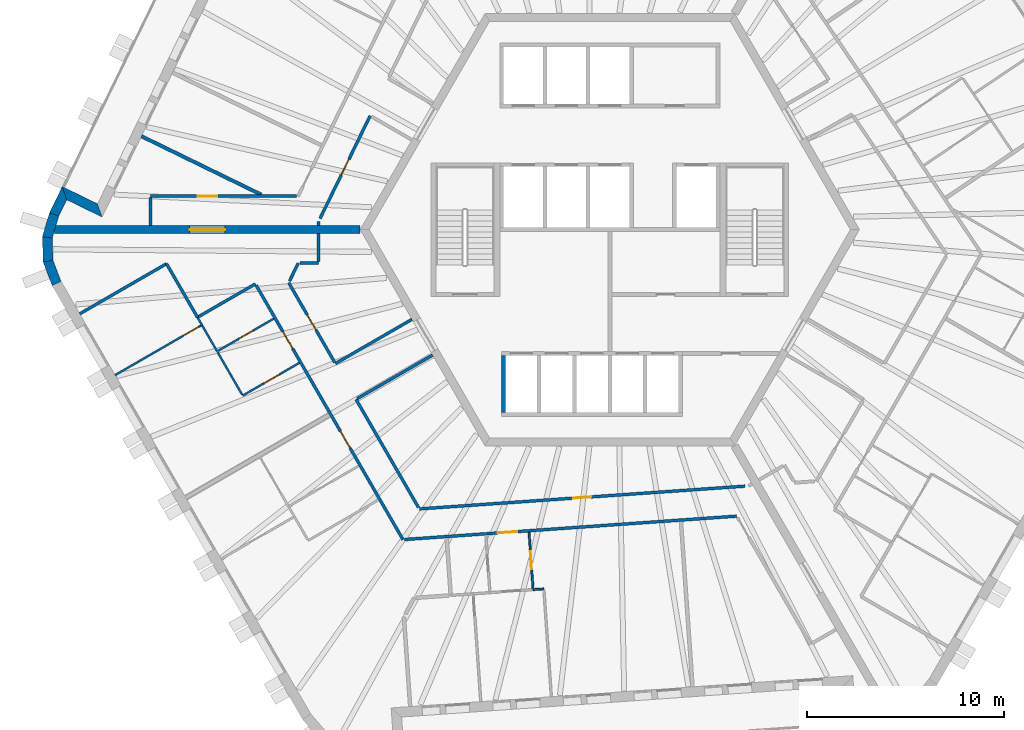
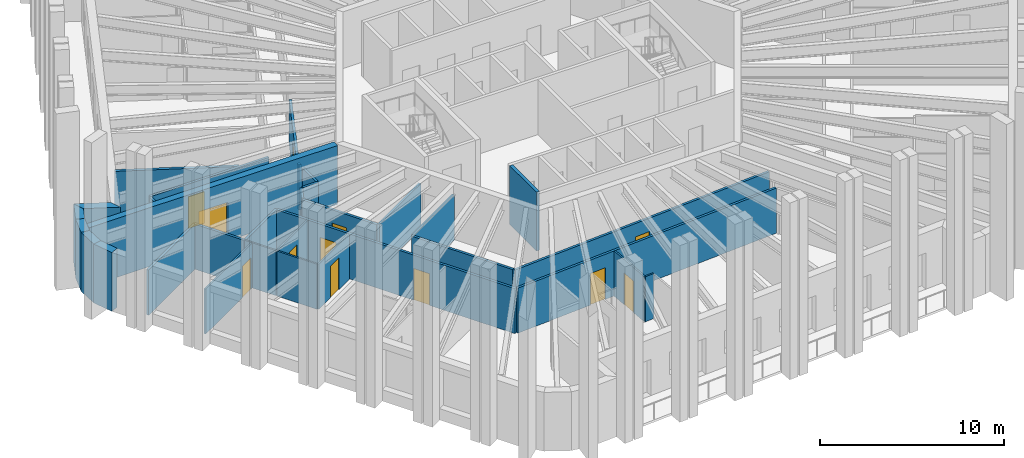
# One storey, part 4 of 12: 33 walls, 12 doors, 12 openings.
"""IFC4 building model written with IfcOpenShell, lengths in metres."""

from ifc_helpers import new_model, si_unit, direction, frame, frame_2d, origin, place, context, subcontext, project, spatial, polyline, rectangle, outline, extrude, material, layer, layer_set, type_object, element, fill, save


model = new_model("IFC4")

# Units and contexts
model_context = context("Model", 3, precision=1e-05, world=origin(), true_north=direction((0.0, 1.0)))
body_context = subcontext(model_context, "Body", "Model", "MODEL_VIEW")
ifc_project = project(units=[si_unit("LENGTHUNIT", "METRE"), si_unit("AREAUNIT", "SQUARE_METRE"), si_unit("VOLUMEUNIT", "CUBIC_METRE"), si_unit("PLANEANGLEUNIT", "RADIAN"), si_unit("MASSUNIT", "GRAM", prefix="KILO")], contexts=[model_context])

# Site, building, storey
site_placement = place(None, origin())
site = spatial("IfcSite", under=ifc_project, at=site_placement, CompositionType="ELEMENT")
building_placement = place(site_placement, origin())
building = spatial("IfcBuilding", under=site, at=building_placement, Name="Tarnside Tower", CompositionType="ELEMENT")
storey_placement = place(building_placement, frame((0.0, 0.0, 291.300048828125)))
storey = spatial("IfcBuildingStorey", under=building, at=storey_placement, Name="L70", CompositionType="ELEMENT", Elevation=291.300048828125)

# Wall
ifc_material_1 = material(Name="Gypsum board partition on steel studs", Category="steel")
ifc_layer_1 = layer(ifc_material_1, 0.10009765625)
ifc_layer_set_1 = layer_set([ifc_layer_1], Name="Bathroom wall 100")
wall_type_1 = type_object("IfcWallType", Name="Bathroom wall 100", PredefinedType="PARTITIONING", material=ifc_layer_set_1)
wall_1_placement = place(storey_placement, frame((-19.980224609375, -6.193115234375, 0.0), z_axis=(0.0, 0.0, 1.0), x_axis=(-0.500067724834, 0.865986299303, 0.0)))
element("IfcWall", 1, at=wall_1_placement, inside=storey, type_object=wall_type_1, Name="Bathroom wall 23114", PredefinedType="PARTITIONING", context=body_context, shape_type="SweptSolid", body=[
    extrude(rectangle(XDim=1.550537109375, YDim=0.10009765625, at=frame_2d((0.775390625, 0.0))), origin(), (0.0, 0.0, 1.0), 2.98779296875),
])

# Wall, opening, door
wall_2_placement = place(storey_placement, frame((-17.1005859375, -4.53076171875, 0.0), z_axis=(0.0, 0.0, 1.0), x_axis=(-0.866046559086, -0.499963356153, 0.0)))
wall_2 = element("IfcWall", 2, at=wall_2_placement, inside=storey, type_object=wall_type_1, Name="Bathroom wall 23118", PredefinedType="PARTITIONING", context=body_context, shape_type="SweptSolid", body=[
    extrude(rectangle(XDim=3.275146484375, YDim=0.10009765625, at=frame_2d((1.6376953125, 0.0))), origin(), (0.0, 0.0, 1.0), 2.98779296875),
])
opening_1_placement = place(wall_2_placement, frame((1.22509765625, 0.0, 0.0)))
opening_1 = element("IfcOpeningElement", 3, at=opening_1_placement, cuts=wall_2, Name="Opening D-B1", PredefinedType="OPENING", context=body_context, shape_type="SweptSolid", body=[
    extrude(rectangle(XDim=0.800048828125, YDim=2.10009765625, at=frame_2d((0.39990234375, 1.050048828125))), frame((0.0, 0.06005859375, 0.0), z_axis=(0.0, -1.0, 0.0), x_axis=(1.0, 0.0, 0.0)), (0.0, 0.0, 1.0), 0.1201171875),
])
ifc_material_2 = material(Name="Timber door leaf", Category="wood")
door_type_1 = type_object("IfcDoorType", Name="Bathroom door 800", OperationType="NOTDEFINED", PredefinedType="DOOR", material=ifc_material_2)
door_1_placement = place(opening_1_placement, origin())
door_1 = element("IfcDoor", 4, at=door_1_placement, inside=storey, type_object=door_type_1, Name="Bathroom door 23023", OperationType="SINGLE_SWING_RIGHT", OverallHeight=2.10009765625, OverallWidth=0.800048828125, PredefinedType="DOOR", context=body_context, shape_type="SweptSolid", body=[
    extrude(rectangle(XDim=0.800048828125, YDim=2.10009765625, at=frame_2d((0.39990234375, 1.050048828125))), frame((0.0, 0.02490234375, 0.0), z_axis=(0.0, -1.0, 0.0), x_axis=(1.0, 0.0, 0.0)), (0.0, 0.0, 1.0), 0.050048828125),
])
fill(opening_1, door_1)

# Wall
wall_3_placement = place(storey_placement, frame((-20.981201171875, -4.45947265625, 0.0), z_axis=(0.0, 0.0, 1.0), x_axis=(0.499846793097, -0.866113839764, 0.0)))
element("IfcWall", 5, at=wall_3_placement, inside=storey, type_object=wall_type_1, Name="Bathroom wall 23119", PredefinedType="PARTITIONING", context=body_context, shape_type="SweptSolid", body=[
    extrude(rectangle(XDim=0.453369140625, YDim=0.10009765625, at=frame_2d((0.2265625, 0.0))), origin(), (0.0, 0.0, 1.0), 2.98779296875),
])

# Wall, opening, door
ifc_material_3 = material(Name="Concrete C60/75", Category="concrete")
ifc_layer_2 = layer(ifc_material_3, 0.39990234375)
ifc_layer_set_2 = layer_set([ifc_layer_2], Name="Core wall Z3 400 C60/75")
wall_type_2 = type_object("IfcWallType", Name="Core wall Z3 400 C60/75", PredefinedType="SHEAR", material=ifc_layer_set_2)
wall_4_placement = place(storey_placement, frame((-12.70166015625, 0.0, -0.150146484375), z_axis=(0.0, 0.0, 1.0), x_axis=(-1.0, 0.0, 0.0)))
wall_4 = element("IfcWall", 6, at=wall_4_placement, inside=storey, type_object=wall_type_2, Name="L70 spine wall 2", PredefinedType="SHEAR", context=body_context, shape_type="SweptSolid", body=[
    extrude(rectangle(XDim=15.54443359375, YDim=0.39990234375, at=frame_2d((7.772216796875, 0.0))), origin(), (0.0, 0.0, 1.0), 3.900146484375),
])
opening_2_placement = place(wall_4_placement, frame((6.872314453125, 0.0, 0.14990234375)))
opening_2 = element("IfcOpeningElement", 7, at=opening_2_placement, cuts=wall_4, Name="Opening CD-SPN", PredefinedType="OPENING", context=body_context, shape_type="SweptSolid", body=[
    extrude(rectangle(XDim=1.800048828125, YDim=2.39990234375, at=frame_2d((0.89990234375, 1.199951171875))), frame((0.0, 0.2099609375, 0.0), z_axis=(0.0, -1.0, 0.0), x_axis=(1.0, 0.0, 0.0)), (0.0, 0.0, 1.0), 0.419921875),
])
ifc_material_4 = material(Name="Steel fire door", Category="steel")
door_type_2 = type_object("IfcDoorType", Name="Spine passage double door FD60 1800x2400", OperationType="NOTDEFINED", PredefinedType="DOOR", material=ifc_material_4)
door_2_placement = place(opening_2_placement, origin())
door_2 = element("IfcDoor", 8, at=door_2_placement, inside=storey, type_object=door_type_2, Name="L70 spine passage door 2", OperationType="DOUBLE_DOOR_SINGLE_SWING", OverallHeight=2.39990234375, OverallWidth=1.800048828125, PredefinedType="DOOR", context=body_context, shape_type="SweptSolid", body=[
    extrude(rectangle(XDim=1.800048828125, YDim=2.39990234375, at=frame_2d((0.89990234375, 1.199951171875))), frame((0.0, 0.02490234375, 0.0), z_axis=(0.0, -1.0, 0.0), x_axis=(1.0, 0.0, 0.0)), (0.0, 0.0, 1.0), 0.050048828125),
])
fill(opening_2, door_2)

ifc_layer_3 = layer(ifc_material_1, 0.14990234375)
ifc_layer_set_3 = layer_set([ifc_layer_3], Name="Corridor wall 150 EI 60")
wall_type_3 = type_object("IfcWallType", Name="Corridor wall 150 EI 60", PredefinedType="PARTITIONING", material=ifc_layer_set_3)
wall_5_placement = place(storey_placement, frame((-15.943359375, 1.699951171875, 0.0), z_axis=(0.0, 0.0, 1.0), x_axis=(-1.0, 0.0, 0.0)))
wall_5 = element("IfcWall", 9, at=wall_5_placement, inside=storey, type_object=wall_type_3, Name="Corridor wall 23016", PredefinedType="PARTITIONING", context=body_context, shape_type="SweptSolid", body=[
    extrude(rectangle(XDim=7.4306640625, YDim=0.14990234375, at=frame_2d((3.71533203125, 0.0))), origin(), (0.0, 0.0, 1.0), 2.98779296875),
])
opening_3_placement = place(wall_5_placement, frame((4.02978515625, 0.0, 0.0)))
opening_3 = element("IfcOpeningElement", 10, at=opening_3_placement, cuts=wall_5, Name="Opening D-E1", PredefinedType="OPENING", context=body_context, shape_type="SweptSolid", body=[
    extrude(rectangle(XDim=1.0, YDim=2.10009765625, at=frame_2d((0.5, 1.050048828125))), frame((0.0, 0.0849609375, 0.0), z_axis=(0.0, -1.0, 0.0), x_axis=(1.0, 0.0, 0.0)), (0.0, 0.0, 1.0), 0.169921875),
])
door_type_3 = type_object("IfcDoorType", Name="Unit entrance door 1000 FD30S", OperationType="NOTDEFINED", PredefinedType="DOOR", material=ifc_material_2)
door_3_placement = place(opening_3_placement, origin())
door_3 = element("IfcDoor", 11, at=door_3_placement, inside=storey, type_object=door_type_3, Name="Unit door 23021", OperationType="SINGLE_SWING_LEFT", OverallHeight=2.10009765625, OverallWidth=1.0, PredefinedType="DOOR", context=body_context, shape_type="SweptSolid", body=[
    extrude(rectangle(XDim=1.0, YDim=2.10009765625, at=frame_2d((0.5, 1.050048828125))), frame((0.0, 0.02490234375, 0.0), z_axis=(0.0, -1.0, 0.0), x_axis=(1.0, 0.0, 0.0)), (0.0, 0.0, 1.0), 0.050048828125),
])
fill(opening_3, door_3)

# Walls
wall_6_placement = place(storey_placement, frame((-23.3740234375, 1.625, 0.0), z_axis=(0.0, 0.0, 1.0), x_axis=(0.0, -1.0, 0.0)))
element("IfcWall", 12, at=wall_6_placement, inside=storey, type_object=wall_type_3, Name="Corridor wall 23018", PredefinedType="PARTITIONING", context=body_context, shape_type="SweptSolid", body=[
    extrude(rectangle(XDim=1.425048828125, YDim=0.14990234375, at=frame_2d((0.71240234375, 0.0))), origin(), (0.0, 0.0, 1.0), 2.98779296875),
])
wall_7_placement = place(storey_placement, frame((-14.820068359375, 0.199951171875, 0.0), z_axis=(0.0, 0.0, 1.0), x_axis=(0.0, 1.0, 0.0)))
element("IfcWall", 13, at=wall_7_placement, inside=storey, type_object=wall_type_3, Name="Corridor wall 23025", PredefinedType="PARTITIONING", context=body_context, shape_type="SweptSolid", body=[
    extrude(rectangle(XDim=0.210205078125, YDim=0.14990234375, at=frame_2d((0.10498046875, 0.0))), origin(), (0.0, 0.0, 1.0), 2.98779296875),
])

# Wall, opening, door
wall_8_placement = place(storey_placement, frame((-14.7451171875, 0.563720703125, 0.0), z_axis=(0.0, 0.0, 1.0), x_axis=(0.438348416625, 0.898805132185, 0.0)))
wall_8 = element("IfcWall", 14, at=wall_8_placement, inside=storey, type_object=wall_type_3, Name="Corridor wall 23026", PredefinedType="PARTITIONING", context=body_context, shape_type="SweptSolid", body=[
    extrude(rectangle(XDim=5.819580078125, YDim=0.14990234375, at=frame_2d((2.90966796875, 0.0))), origin(), (0.0, 0.0, 1.0), 2.98779296875),
])
opening_4_placement = place(wall_8_placement, frame((2.459716796875, 0.0, 0.0)))
opening_4 = element("IfcOpeningElement", 15, at=opening_4_placement, cuts=wall_8, Name="Opening D-S1", PredefinedType="OPENING", context=body_context, shape_type="SweptSolid", body=[
    extrude(rectangle(XDim=0.89990234375, YDim=2.10009765625, at=frame_2d((0.449951171875, 1.050048828125))), frame((0.0, 0.0849609375, 0.0), z_axis=(0.0, -1.0, 0.0), x_axis=(1.0, 0.0, 0.0)), (0.0, 0.0, 1.0), 0.169921875),
])
door_type_4 = type_object("IfcDoorType", Name="Service room door 900 FD30S", OperationType="NOTDEFINED", PredefinedType="DOOR", material=ifc_material_2)
door_4_placement = place(opening_4_placement, origin())
door_4 = element("IfcDoor", 16, at=door_4_placement, inside=storey, type_object=door_type_4, Name="Service door 23059", OperationType="SINGLE_SWING_RIGHT", OverallHeight=2.10009765625, OverallWidth=0.89990234375, PredefinedType="DOOR", context=body_context, shape_type="SweptSolid", body=[
    extrude(rectangle(XDim=0.89990234375, YDim=2.10009765625, at=frame_2d((0.449951171875, 1.050048828125))), frame((0.0, 0.02490234375, 0.0), z_axis=(0.0, -1.0, 0.0), x_axis=(1.0, 0.0, 0.0)), (0.0, 0.0, 1.0), 0.050048828125),
])
fill(opening_4, door_4)

# Wall, openings, doors
wall_9_placement = place(storey_placement, frame((-17.998291015625, -2.826171875, 0.0), z_axis=(0.0, 0.0, 1.0), x_axis=(0.500003306199, -0.866023494941, 0.0)))
wall_9 = element("IfcWall", 17, at=wall_9_placement, inside=storey, type_object=wall_type_3, Name="Corridor wall 23028", PredefinedType="PARTITIONING", context=body_context, shape_type="SweptSolid", body=[
    extrude(rectangle(XDim=14.94921875, YDim=0.14990234375, at=frame_2d((7.474609375, 0.0))), origin(), (0.0, 0.0, 1.0), 2.98779296875),
])
opening_5_placement = place(wall_9_placement, frame((2.72509765625, 0.0, 0.0)))
opening_5 = element("IfcOpeningElement", 18, at=opening_5_placement, cuts=wall_9, Name="Opening D-E1", PredefinedType="OPENING", context=body_context, shape_type="SweptSolid", body=[
    extrude(rectangle(XDim=1.0, YDim=2.10009765625, at=frame_2d((0.5, 1.050048828125))), frame((0.0, 0.0849609375, 0.0), z_axis=(0.0, -1.0, 0.0), x_axis=(1.0, 0.0, 0.0)), (0.0, 0.0, 1.0), 0.169921875),
])
opening_6_placement = place(wall_9_placement, frame((8.576416015625, 0.0, 0.0)))
opening_6 = element("IfcOpeningElement", 19, at=opening_6_placement, cuts=wall_9, Name="Opening D-E1", PredefinedType="OPENING", context=body_context, shape_type="SweptSolid", body=[
    extrude(rectangle(XDim=1.0, YDim=2.10009765625, at=frame_2d((0.5, 1.050048828125))), frame((0.0, 0.0849609375, 0.0), z_axis=(0.0, -1.0, 0.0), x_axis=(1.0, 0.0, 0.0)), (0.0, 0.0, 1.0), 0.169921875),
])
door_5_placement = place(opening_5_placement, origin())
door_5 = element("IfcDoor", 20, at=door_5_placement, inside=storey, type_object=door_type_3, Name="Unit door 23022", OperationType="SINGLE_SWING_RIGHT", OverallHeight=2.10009765625, OverallWidth=1.0, PredefinedType="DOOR", context=body_context, shape_type="SweptSolid", body=[
    extrude(rectangle(XDim=1.0, YDim=2.10009765625, at=frame_2d((0.5, 1.050048828125))), frame((0.0, 0.02490234375, 0.0), z_axis=(0.0, -1.0, 0.0), x_axis=(1.0, 0.0, 0.0)), (0.0, 0.0, 1.0), 0.050048828125),
])
fill(opening_5, door_5)
door_6_placement = place(opening_6_placement, origin())
door_6 = element("IfcDoor", 21, at=door_6_placement, inside=storey, type_object=door_type_3, Name="Unit door 23026", OperationType="SINGLE_SWING_RIGHT", OverallHeight=2.10009765625, OverallWidth=1.0, PredefinedType="DOOR", context=body_context, shape_type="SweptSolid", body=[
    extrude(rectangle(XDim=1.0, YDim=2.10009765625, at=frame_2d((0.5, 1.050048828125))), frame((0.0, 0.02490234375, 0.0), z_axis=(0.0, -1.0, 0.0), x_axis=(1.0, 0.0, 0.0)), (0.0, 0.0, 1.0), 0.050048828125),
])
fill(opening_6, door_6)

# Walls
wall_10_placement = place(storey_placement, frame((-20.980224609375, -4.461181640625, 0.0), z_axis=(0.0, 0.0, 1.0), x_axis=(0.866038511948, 0.499977295307, 0.0)))
element("IfcWall", 22, at=wall_10_placement, inside=storey, type_object=wall_type_3, Name="Corridor wall 23030", PredefinedType="PARTITIONING", context=body_context, shape_type="SweptSolid", body=[
    extrude(rectangle(XDim=3.400146484375, YDim=0.14990234375, at=frame_2d((1.7001953125, 0.0))), origin(), (0.0, 0.0, 1.0), 2.98779296875),
])
wall_11_placement = place(storey_placement, frame((-26.97119140625, -4.284423828125, 0.0), z_axis=(0.0, 0.0, 1.0), x_axis=(0.866024511559, 0.500001545377, 0.0)))
element("IfcWall", 23, at=wall_11_placement, inside=storey, type_object=wall_type_3, Name="Corridor wall 23032", PredefinedType="PARTITIONING", context=body_context, shape_type="SweptSolid", body=[
    extrude(rectangle(XDim=5.0986328125, YDim=0.14990234375, at=frame_2d((2.54931640625, 0.0))), origin(), (0.0, 0.0, 1.0), 2.98779296875),
])
wall_12_placement = place(storey_placement, frame((-22.553955078125, -1.735595703125, 0.0), z_axis=(0.0, 0.0, 1.0), x_axis=(0.50003099832, -0.866007506156, 0.0)))
element("IfcWall", 24, at=wall_12_placement, inside=storey, type_object=wall_type_3, Name="Corridor wall 23033", PredefinedType="PARTITIONING", context=body_context, shape_type="SweptSolid", body=[
    extrude(rectangle(XDim=3.150634765625, YDim=0.14990234375, at=frame_2d((1.5751953125, 0.0))), origin(), (0.0, 0.0, 1.0), 2.98779296875),
])

# Wall, opening, door
wall_13_placement = place(storey_placement, frame((-10.4404296875, -15.7666015625, 0.0), z_axis=(0.0, 0.0, 1.0), x_axis=(0.997534721961, 0.070174628483, 0.0)))
wall_13 = element("IfcWall", 25, at=wall_13_placement, inside=storey, type_object=wall_type_3, Name="Corridor wall 23035", PredefinedType="PARTITIONING", context=body_context, shape_type="SweptSolid", body=[
    extrude(rectangle(XDim=16.939453125, YDim=0.14990234375, at=frame_2d((8.4697265625, 0.0))), origin(), (0.0, 0.0, 1.0), 2.98779296875),
])
opening_7_placement = place(wall_13_placement, frame((4.74169921875, 0.0, 0.0)))
opening_7 = element("IfcOpeningElement", 26, at=opening_7_placement, cuts=wall_13, Name="Opening D-E1", PredefinedType="OPENING", context=body_context, shape_type="SweptSolid", body=[
    extrude(rectangle(XDim=1.0, YDim=2.10009765625, at=frame_2d((0.5, 1.050048828125))), frame((0.0, 0.0849609375, 0.0), z_axis=(0.0, -1.0, 0.0), x_axis=(1.0, 0.0, 0.0)), (0.0, 0.0, 1.0), 0.169921875),
])
door_7_placement = place(opening_7_placement, origin())
door_7 = element("IfcDoor", 27, at=door_7_placement, inside=storey, type_object=door_type_3, Name="Unit door 23031", OperationType="SINGLE_SWING_LEFT", OverallHeight=2.10009765625, OverallWidth=1.0, PredefinedType="DOOR", context=body_context, shape_type="SweptSolid", body=[
    extrude(rectangle(XDim=1.0, YDim=2.10009765625, at=frame_2d((0.5, 1.050048828125))), frame((0.0, 0.02490234375, 0.0), z_axis=(0.0, -1.0, 0.0), x_axis=(1.0, 0.0, 0.0)), (0.0, 0.0, 1.0), 0.050048828125),
])
fill(opening_7, door_7)

# Wall
wall_14_placement = place(storey_placement, frame((-10.065673828125, -4.565673828125, 0.0), z_axis=(0.0, 0.0, 1.0), x_axis=(-0.866031096941, -0.499990139034, 0.0)))
element("IfcWall", 28, at=wall_14_placement, inside=storey, type_object=wall_type_3, Name="Corridor wall 23044", PredefinedType="PARTITIONING", context=body_context, shape_type="SweptSolid", body=[
    extrude(rectangle(XDim=4.5, YDim=0.14990234375, at=frame_2d((2.25, 0.0))), origin(), (0.0, 0.0, 1.0), 2.98779296875),
])

# Wall, opening, door
wall_15_placement = place(storey_placement, frame((-14.000244140625, -6.750732421875, 0.0), z_axis=(0.0, 0.0, 1.0), x_axis=(-0.500008739126, 0.866020358189, 0.0)))
wall_15 = element("IfcWall", 29, at=wall_15_placement, inside=storey, type_object=wall_type_3, Name="Corridor wall 23045", PredefinedType="PARTITIONING", context=body_context, shape_type="SweptSolid", body=[
    extrude(rectangle(XDim=4.67529296875, YDim=0.14990234375, at=frame_2d((2.337646484375, 0.0))), origin(), (0.0, 0.0, 1.0), 2.98779296875),
])
opening_8_placement = place(wall_15_placement, frame((1.8876953125, 0.0, 0.0)))
opening_8 = element("IfcOpeningElement", 30, at=opening_8_placement, cuts=wall_15, Name="Opening D-S1", PredefinedType="OPENING", context=body_context, shape_type="SweptSolid", body=[
    extrude(rectangle(XDim=0.89990234375, YDim=2.10009765625, at=frame_2d((0.449951171875, 1.050048828125))), frame((0.0, 0.0849609375, 0.0), z_axis=(0.0, -1.0, 0.0), x_axis=(1.0, 0.0, 0.0)), (0.0, 0.0, 1.0), 0.169921875),
])
door_8_placement = place(opening_8_placement, origin())
door_8 = element("IfcDoor", 31, at=door_8_placement, inside=storey, type_object=door_type_4, Name="Service door 23060", OperationType="SINGLE_SWING_RIGHT", OverallHeight=2.10009765625, OverallWidth=0.89990234375, PredefinedType="DOOR", context=body_context, shape_type="SweptSolid", body=[
    extrude(rectangle(XDim=0.89990234375, YDim=2.10009765625, at=frame_2d((0.449951171875, 1.050048828125))), frame((0.0, 0.02490234375, 0.0), z_axis=(0.0, -1.0, 0.0), x_axis=(1.0, 0.0, 0.0)), (0.0, 0.0, 1.0), 0.050048828125),
])
fill(opening_8, door_8)

# Walls
wall_16_placement = place(storey_placement, frame((-16.29833984375, -2.62060546875, 0.0), z_axis=(0.0, 0.0, 1.0), x_axis=(0.438325013788, 0.898816545402, 0.0)))
element("IfcWall", 32, at=wall_16_placement, inside=storey, type_object=wall_type_3, Name="Corridor wall 23046", PredefinedType="PARTITIONING", context=body_context, shape_type="SweptSolid", body=[
    extrude(rectangle(XDim=1.0244140625, YDim=0.14990234375, at=frame_2d((0.51220703125, 0.0))), origin(), (0.0, 0.0, 1.0), 2.98779296875),
])
wall_17_placement = place(storey_placement, frame((-15.765869140625, -1.699951171875, 0.0), z_axis=(0.0, 0.0, 1.0), x_axis=(1.0, 0.0, 0.0)))
element("IfcWall", 33, at=wall_17_placement, inside=storey, type_object=wall_type_3, Name="Corridor wall 23047", PredefinedType="PARTITIONING", context=body_context, shape_type="SweptSolid", body=[
    extrude(rectangle(XDim=0.94580078125, YDim=0.14990234375, at=frame_2d((0.472900390625, 0.0))), origin(), (0.0, 0.0, 1.0), 2.98779296875),
])
wall_18_placement = place(storey_placement, frame((-14.820068359375, -1.625, 0.0), z_axis=(0.0, 0.0, 1.0), x_axis=(0.0, 1.0, 0.0)))
element("IfcWall", 34, at=wall_18_placement, inside=storey, type_object=wall_type_3, Name="Corridor wall 23048", PredefinedType="PARTITIONING", context=body_context, shape_type="SweptSolid", body=[
    extrude(rectangle(XDim=1.425048828125, YDim=0.14990234375, at=frame_2d((0.71240234375, 0.0))), origin(), (0.0, 0.0, 1.0), 2.98779296875),
])

# Wall, opening, door
wall_19_placement = place(storey_placement, frame((6.88427734375, -13.051513671875, 0.0), z_axis=(0.0, 0.0, 1.0), x_axis=(-0.997564224443, -0.069753982764, 0.0)))
wall_19 = element("IfcWall", 35, at=wall_19_placement, inside=storey, type_object=wall_type_3, Name="Corridor wall 23050", PredefinedType="PARTITIONING", context=body_context, shape_type="SweptSolid", body=[
    extrude(rectangle(XDim=16.6181640625, YDim=0.14990234375, at=frame_2d((8.30908203125, 0.0))), origin(), (0.0, 0.0, 1.0), 2.98779296875),
])
opening_9_placement = place(wall_19_placement, frame((7.85888671875, 0.0, 0.0)))
opening_9 = element("IfcOpeningElement", 36, at=opening_9_placement, cuts=wall_19, Name="Opening D-S1", PredefinedType="OPENING", context=body_context, shape_type="SweptSolid", body=[
    extrude(rectangle(XDim=0.89990234375, YDim=2.10009765625, at=frame_2d((0.449951171875, 1.050048828125))), frame((0.0, 0.0849609375, 0.0), z_axis=(0.0, -1.0, 0.0), x_axis=(1.0, 0.0, 0.0)), (0.0, 0.0, 1.0), 0.169921875),
])
door_9_placement = place(opening_9_placement, origin())
door_9 = element("IfcDoor", 37, at=door_9_placement, inside=storey, type_object=door_type_4, Name="Service door 23061", OperationType="SINGLE_SWING_RIGHT", OverallHeight=2.10009765625, OverallWidth=0.89990234375, PredefinedType="DOOR", context=body_context, shape_type="SweptSolid", body=[
    extrude(rectangle(XDim=0.89990234375, YDim=2.10009765625, at=frame_2d((0.449951171875, 1.050048828125))), frame((0.0, 0.02490234375, 0.0), z_axis=(0.0, -1.0, 0.0), x_axis=(1.0, 0.0, 0.0)), (0.0, 0.0, 1.0), 0.050048828125),
])
fill(opening_9, door_9)

# Walls
wall_20_placement = place(storey_placement, frame((-9.73486328125, -14.138427734375, 0.0), z_axis=(0.0, 0.0, 1.0), x_axis=(-0.500018385592, 0.866014788598, 0.0)))
element("IfcWall", 38, at=wall_20_placement, inside=storey, type_object=wall_type_3, Name="Corridor wall 23051", PredefinedType="PARTITIONING", context=body_context, shape_type="SweptSolid", body=[
    extrude(rectangle(XDim=6.355712890625, YDim=0.14990234375, at=frame_2d((3.177734375, 0.0))), origin(), (0.0, 0.0, 1.0), 2.98779296875),
])
wall_21_placement = place(storey_placement, frame((-12.847900390625, -8.596923828125, 0.0), z_axis=(0.0, 0.0, 1.0), x_axis=(0.866017452598, 0.500013771606, 0.0)))
element("IfcWall", 39, at=wall_21_placement, inside=storey, type_object=wall_type_3, Name="Corridor wall 23052", PredefinedType="PARTITIONING", context=body_context, shape_type="SweptSolid", body=[
    extrude(rectangle(XDim=4.42529296875, YDim=0.14990234375, at=frame_2d((2.212646484375, 0.0))), origin(), (0.0, 0.0, 1.0), 2.98779296875),
])
ifc_layer_4 = layer(ifc_material_1, 0.179931640625)
ifc_layer_set_4 = layer_set([ifc_layer_4], Name="Demising wall 180 EI 60")
wall_type_4 = type_object("IfcWallType", Name="Demising wall 180 EI 60", PredefinedType="PARTITIONING", material=ifc_layer_set_4)
wall_22_placement = place(storey_placement, frame((-23.82861328125, 4.75146484375, 0.0), z_axis=(0.0, 0.0, 1.0), x_axis=(0.898785032636, -0.438389627056, 0.0)))
element("IfcWall", 40, at=wall_22_placement, inside=storey, type_object=wall_type_4, Name="Demising wall 23111", PredefinedType="PARTITIONING", context=body_context, shape_type="SweptSolid", body=[
    extrude(rectangle(XDim=6.789794921875, YDim=0.179931640625, at=frame_2d((3.39501953125, 0.0))), origin(), (0.0, 0.0, 1.0), 2.98779296875),
])
ifc_material_5 = material(Name="Concrete C40/50", Category="concrete")
ifc_layer_5 = layer(ifc_material_5, 0.199951171875)
ifc_layer_set_5 = layer_set([ifc_layer_5], Name="Lift shaft wall 200 C40/50")
wall_type_5 = type_object("IfcWallType", Name="Lift shaft wall 200 C40/50", PredefinedType="SHEAR", material=ifc_layer_set_5)
wall_23_placement = place(storey_placement, frame((-5.39990234375, -9.300048828125, -0.25), z_axis=(0.0, 0.0, 1.0), x_axis=(0.0, 1.0, 0.0)))
element("IfcWall", 41, at=wall_23_placement, inside=storey, type_object=wall_type_5, Name="L70 lift shaft partition R41", PredefinedType="SHEAR", context=body_context, shape_type="SweptSolid", body=[
    extrude(rectangle(XDim=2.900146484375, YDim=0.199951171875, at=frame_2d((1.4501953125, 0.0))), origin(), (0.0, 0.0, 1.0), 3.89990234375),
])
ifc_material_6 = material(Name="Dark zinc cladding")
ifc_layer_6 = layer(ifc_material_6, 0.10205078125)
ifc_material_7 = material(Name="Concrete C60/75 precast", Category="concrete")
ifc_layer_7 = layer(ifc_material_7, 0.298095703125)
ifc_material_8 = material(Name="Mineral wool insulation")
ifc_layer_8 = layer(ifc_material_8, 0.10009765625)
ifc_layer_set_6 = layer_set([ifc_layer_6, ifc_layer_7, ifc_layer_8], Name="Loggia wall 500 zinc faced")
wall_type_6 = type_object("IfcWallType", Name="Loggia wall 500 zinc faced", PredefinedType="SOLIDWALL", material=ifc_layer_set_6)
wall_24_placement = place(storey_placement, frame((-25.9482421875, 0.97607421875, -0.150146484375), z_axis=(0.0, 0.0, 1.0), x_axis=(-0.898802465371, 0.438353884714, 0.0)))
element("IfcWall", 42, at=wall_24_placement, inside=storey, type_object=wall_type_6, Name="Tube wall L70 F2 return 07", PredefinedType="SOLIDWALL", context=body_context, shape_type="SweptSolid", body=[
    extrude(outline(polyline([(0.25, -0.25), (2.25, -0.25), (1.75, 0.25), (-0.25, 0.25), (0.25, -0.25)])), origin(), (0.0, 0.0, 1.0), 3.900146484375),
])
wall_25_placement = place(storey_placement, frame((-27.745849609375, 1.852783203125, -0.150146484375), z_axis=(0.0, 0.0, 1.0), x_axis=(-0.438319390103, -0.898819287877, 0.0)))
element("IfcWall", 43, at=wall_25_placement, inside=storey, type_object=wall_type_6, Name="Tube wall L70 F2 stub 08", PredefinedType="SOLIDWALL", context=body_context, shape_type="SweptSolid", body=[
    extrude(outline(polyline([(-0.25, -0.25), (1.22021484375, -0.25), (1.17919921875, 0.25), (0.25, 0.25), (-0.25, -0.25)])), origin(), (0.0, 0.0, 1.0), 3.900146484375),
])

# Wall, opening, door
ifc_layer_9 = layer(ifc_material_1, 0.10009765625)
ifc_layer_set_7 = layer_set([ifc_layer_9], Name="Partition 100")
wall_type_7 = type_object("IfcWallType", Name="Partition 100", PredefinedType="PARTITIONING", material=ifc_layer_set_7)
wall_26_placement = place(storey_placement, frame((-15.80078125, -6.782470703125, 0.0), z_axis=(0.0, 0.0, 1.0), x_axis=(-0.866033959199, -0.499985181294, 0.0)))
wall_26 = element("IfcWall", 44, at=wall_26_placement, inside=storey, type_object=wall_type_7, Name="Partition wall 23112", PredefinedType="PARTITIONING", context=body_context, shape_type="SweptSolid", body=[
    extrude(rectangle(XDim=3.32470703125, YDim=0.10009765625, at=frame_2d((1.662353515625, 0.0))), origin(), (0.0, 0.0, 1.0), 2.98779296875),
])
opening_10_placement = place(wall_26_placement, frame((1.175048828125, 0.0, 0.0)))
opening_10 = element("IfcOpeningElement", 45, at=opening_10_placement, cuts=wall_26, Name="Opening D-I1", PredefinedType="OPENING", context=body_context, shape_type="SweptSolid", body=[
    extrude(rectangle(XDim=0.89990234375, YDim=2.10009765625, at=frame_2d((0.449951171875, 1.050048828125))), frame((0.0, 0.06005859375, 0.0), z_axis=(0.0, -1.0, 0.0), x_axis=(1.0, 0.0, 0.0)), (0.0, 0.0, 1.0), 0.1201171875),
])
door_type_5 = type_object("IfcDoorType", Name="Internal door 900", OperationType="NOTDEFINED", PredefinedType="DOOR", material=ifc_material_2)
door_10_placement = place(opening_10_placement, origin())
door_10 = element("IfcDoor", 46, at=door_10_placement, inside=storey, type_object=door_type_5, Name="Internal door 23024", OperationType="SINGLE_SWING_RIGHT", OverallHeight=2.10009765625, OverallWidth=0.89990234375, PredefinedType="DOOR", context=body_context, shape_type="SweptSolid", body=[
    extrude(rectangle(XDim=0.89990234375, YDim=2.10009765625, at=frame_2d((0.449951171875, 1.050048828125))), frame((0.0, 0.02490234375, 0.0), z_axis=(0.0, -1.0, 0.0), x_axis=(1.0, 0.0, 0.0)), (0.0, 0.0, 1.0), 0.050048828125),
])
fill(opening_10, door_10)

# Wall
wall_27_placement = place(storey_placement, frame((-18.705322265625, -8.401611328125, 0.0), z_axis=(0.0, 0.0, 1.0), x_axis=(-0.500004234368, 0.866022959057, 0.0)))
element("IfcWall", 47, at=wall_27_placement, inside=storey, type_object=wall_type_7, Name="Partition wall 23113", PredefinedType="PARTITIONING", context=body_context, shape_type="SweptSolid", body=[
    extrude(rectangle(XDim=2.5, YDim=0.10009765625, at=frame_2d((1.25, 0.0))), origin(), (0.0, 0.0, 1.0), 2.98779296875),
])

# Wall, opening, door
wall_28_placement = place(storey_placement, frame((-20.7978515625, -4.877197265625, 0.0), z_axis=(0.0, 0.0, 1.0), x_axis=(-0.866026981659, -0.499997267031, 0.0)))
wall_28 = element("IfcWall", 48, at=wall_28_placement, inside=storey, type_object=wall_type_7, Name="Partition wall 23115", PredefinedType="PARTITIONING", context=body_context, shape_type="SweptSolid", body=[
    extrude(rectangle(XDim=5.0498046875, YDim=0.10009765625, at=frame_2d((2.52490234375, 0.0))), origin(), (0.0, 0.0, 1.0), 2.98779296875),
])
opening_11_placement = place(wall_28_placement, frame((0.14990234375, 0.0, 0.0)))
opening_11 = element("IfcOpeningElement", 49, at=opening_11_placement, cuts=wall_28, Name="Opening D-I1", PredefinedType="OPENING", context=body_context, shape_type="SweptSolid", body=[
    extrude(rectangle(XDim=0.89990234375, YDim=2.10009765625, at=frame_2d((0.449951171875, 1.050048828125))), frame((0.0, 0.06005859375, 0.0), z_axis=(0.0, -1.0, 0.0), x_axis=(1.0, 0.0, 0.0)), (0.0, 0.0, 1.0), 0.1201171875),
])
door_11_placement = place(opening_11_placement, origin())
door_11 = element("IfcDoor", 50, at=door_11_placement, inside=storey, type_object=door_type_5, Name="Internal door 23025", OperationType="SINGLE_SWING_RIGHT", OverallHeight=2.10009765625, OverallWidth=0.89990234375, PredefinedType="DOOR", context=body_context, shape_type="SweptSolid", body=[
    extrude(rectangle(XDim=0.89990234375, YDim=2.10009765625, at=frame_2d((0.449951171875, 1.050048828125))), frame((0.0, 0.02490234375, 0.0), z_axis=(0.0, -1.0, 0.0), x_axis=(1.0, 0.0, 0.0)), (0.0, 0.0, 1.0), 0.050048828125),
])
fill(opening_11, door_11)

wall_29_placement = place(storey_placement, frame((-4.10888671875, -15.399169921875, 0.0), z_axis=(0.0, 0.0, 1.0), x_axis=(0.069781781132, -0.997562280272, 0.0)))
wall_29 = element("IfcWall", 51, at=wall_29_placement, inside=storey, type_object=wall_type_7, Name="Partition wall 23130", PredefinedType="PARTITIONING", context=body_context, shape_type="SweptSolid", body=[
    extrude(rectangle(XDim=2.9248046875, YDim=0.10009765625, at=frame_2d((1.46240234375, 0.0))), origin(), (0.0, 0.0, 1.0), 2.98779296875),
])
opening_12_placement = place(wall_29_placement, frame((0.97509765625, 0.0, 0.0)))
opening_12 = element("IfcOpeningElement", 52, at=opening_12_placement, cuts=wall_29, Name="Opening D-I1", PredefinedType="OPENING", context=body_context, shape_type="SweptSolid", body=[
    extrude(rectangle(XDim=0.89990234375, YDim=2.10009765625, at=frame_2d((0.449951171875, 1.050048828125))), frame((0.0, 0.06005859375, 0.0), z_axis=(0.0, -1.0, 0.0), x_axis=(1.0, 0.0, 0.0)), (0.0, 0.0, 1.0), 0.1201171875),
])
door_12_placement = place(opening_12_placement, origin())
door_12 = element("IfcDoor", 53, at=door_12_placement, inside=storey, type_object=door_type_5, Name="Internal door 23033", OperationType="SINGLE_SWING_RIGHT", OverallHeight=2.10009765625, OverallWidth=0.89990234375, PredefinedType="DOOR", context=body_context, shape_type="SweptSolid", body=[
    extrude(rectangle(XDim=0.89990234375, YDim=2.10009765625, at=frame_2d((0.449951171875, 1.050048828125))), frame((0.0, 0.02490234375, 0.0), z_axis=(0.0, -1.0, 0.0), x_axis=(1.0, 0.0, 0.0)), (0.0, 0.0, 1.0), 0.050048828125),
])
fill(opening_12, door_12)

# Walls
wall_30_placement = place(storey_placement, frame((-3.90673828125, -18.317138671875, 0.0), z_axis=(0.0, 0.0, 1.0), x_axis=(0.997570082671, 0.069670152571, 0.0)))
element("IfcWall", 54, at=wall_30_placement, inside=storey, type_object=wall_type_7, Name="Partition wall 23131", PredefinedType="PARTITIONING", context=body_context, shape_type="SweptSolid", body=[
    extrude(rectangle(XDim=0.550048828125, YDim=0.10009765625, at=frame_2d((0.27490234375, 0.0))), origin(), (0.0, 0.0, 1.0), 2.98779296875),
])
ifc_material_9 = material(Name="Facing brick", Category="masonry")
ifc_layer_10 = layer(ifc_material_9, 0.10205078125)
ifc_layer_11 = layer(ifc_material_7, 0.298095703125)
ifc_layer_12 = layer(ifc_material_8, 0.10009765625)
ifc_layer_set_8 = layer_set([ifc_layer_10, ifc_layer_11, ifc_layer_12], Name="Tube wall 500 brick faced")
wall_type_8 = type_object("IfcWallType", Name="Tube wall 500 brick faced", PredefinedType="SOLIDWALL", material=ifc_layer_set_8)
wall_31_placement = place(storey_placement, frame((-28.271728515625, 0.7744140625, -0.150146484375), z_axis=(0.0, 0.0, 1.0), x_axis=(-0.286813843218, -0.957986335674, 0.0)))
element("IfcWall", 55, at=wall_31_placement, inside=storey, type_object=wall_type_8, Name="Tube wall L70 F2 chord 09", PredefinedType="SOLIDWALL", context=body_context, shape_type="SweptSolid", body=[
    extrude(outline(polyline([(-0.0205078125, -0.25), (1.25732421875, -0.25), (1.17529296875, 0.25), (0.0205078125, 0.25), (-0.0205078125, -0.25)])), origin(), (0.0, 0.0, 1.0), 3.900146484375),
])
wall_32_placement = place(storey_placement, frame((-28.62060546875, -0.390869140625, -0.150146484375), z_axis=(0.0, 0.0, 1.0), x_axis=(0.034925456137, -0.999389920158, 0.0)))
element("IfcWall", 56, at=wall_32_placement, inside=storey, type_object=wall_type_8, Name="Tube wall L70 F2 chord 10", PredefinedType="SOLIDWALL", context=body_context, shape_type="SweptSolid", body=[
    extrude(outline(polyline([(-0.041015625, -0.25), (1.25732421875, -0.25), (1.17529296875, 0.25), (0.041015625, 0.25), (-0.041015625, -0.25)])), origin(), (0.0, 0.0, 1.0), 3.900146484375),
])
wall_33_placement = place(storey_placement, frame((-28.578125, -1.6064453125, -0.150146484375), z_axis=(0.0, 0.0, 1.0), x_axis=(0.352838463023, -0.935684251771, 0.0)))
element("IfcWall", 57, at=wall_33_placement, inside=storey, type_object=wall_type_8, Name="Tube wall L70 F2 chord 11", PredefinedType="SOLIDWALL", context=body_context, shape_type="SweptSolid", body=[
    extrude(outline(polyline([(-0.041015625, -0.25), (1.23681640625, -0.25), (1.19580078125, 0.25), (0.041015625, 0.25), (-0.041015625, -0.25)])), origin(), (0.0, 0.0, 1.0), 3.900146484375),
])

save(model, "model.ifc")
